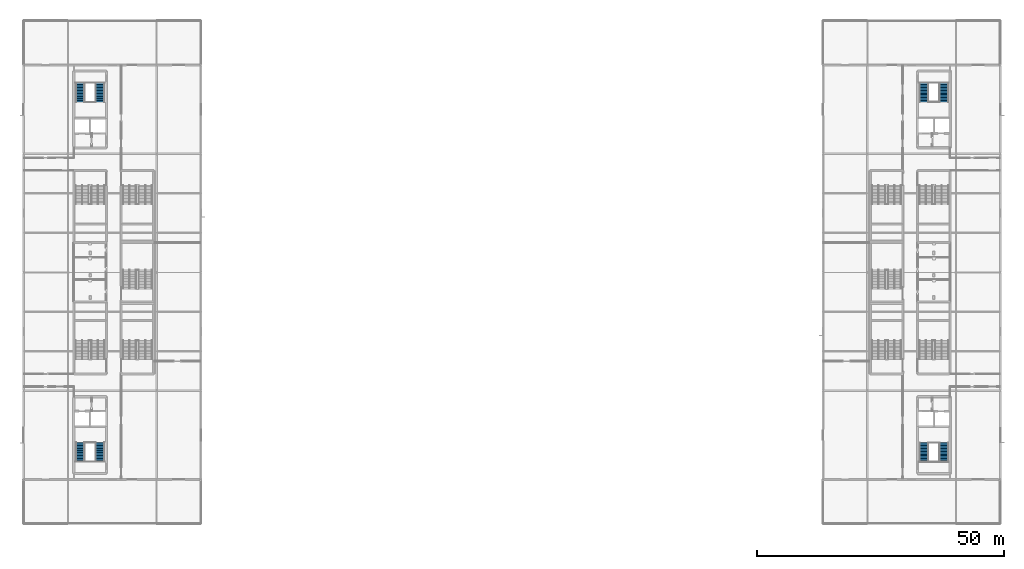
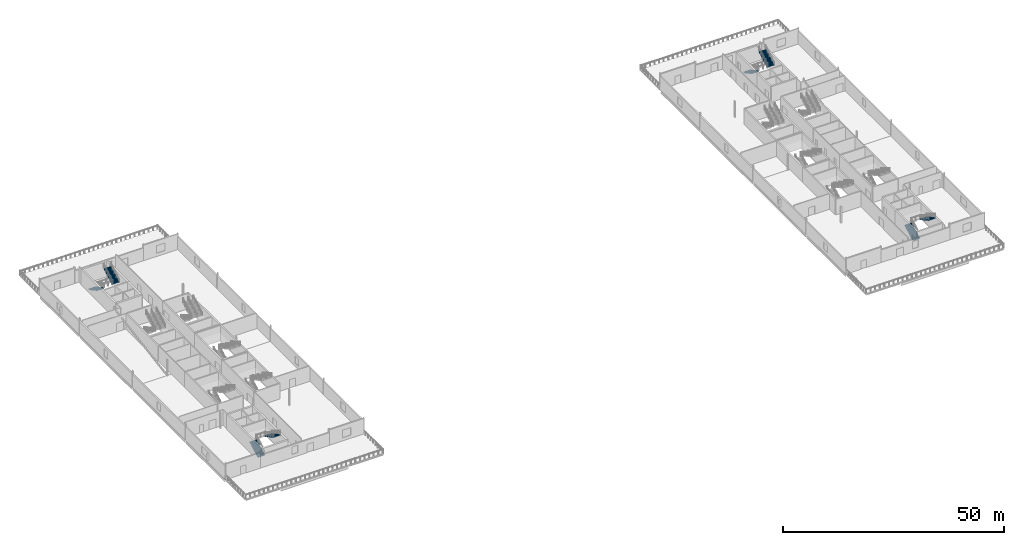
# One storey, part 17 of 28: 8 stair flights, 4 elements without a shape of their own.
"""IFC4 building model written with IfcOpenShell, lengths in metres."""

from ifc_helpers import new_model, si_unit, direction, frame, origin, place, context, subcontext, project, spatial, polyline, outline, extrude, material, type_object, element, aggregate, save


model = new_model("IFC4")

# Units and contexts
model_context = context("Model", 3, precision=1e-05, world=origin(), true_north=direction((0.0, 1.0)))
body_context = subcontext(model_context, "Body", "Model", "MODEL_VIEW")
ifc_project = project(units=[si_unit("LENGTHUNIT", "METRE"), si_unit("AREAUNIT", "SQUARE_METRE"), si_unit("VOLUMEUNIT", "CUBIC_METRE"), si_unit("PLANEANGLEUNIT", "RADIAN"), si_unit("MASSUNIT", "GRAM", prefix="KILO")], contexts=[model_context])

# Site, building, storey
site_placement = place(None, origin())
site = spatial("IfcSite", under=ifc_project, at=site_placement, CompositionType="ELEMENT")
building_placement = place(site_placement, origin())
building = spatial("IfcBuilding", under=site, at=building_placement, Name="Kisiwana Market Hall", CompositionType="ELEMENT")
storey_placement = place(building_placement, frame((0.0, 0.0, 49.5)))
storey = spatial("IfcBuildingStorey", under=building, at=storey_placement, Name="L11", CompositionType="ELEMENT", Elevation=49.5)

# Stair, stair flights
ifc_material_1 = material(Name="Concrete C32/40", Category="concrete")
stair_type = type_object("IfcStairType", Name="ST-TWR-4500", PredefinedType="TWO_STRAIGHT_RUN_STAIR", material=ifc_material_1)
stair_1_placement = place(storey_placement, origin())
stair_1 = element("IfcStair", 1, at=stair_1_placement, inside=storey, type_object=stair_type, Name="Escape stair ST-W2-L11", PredefinedType="TWO_STRAIGHT_RUN_STAIR")
ifc_material_2 = material(Name="Concrete C32/40", Category="concrete")
stair_flight_type = type_object("IfcStairFlightType", Name="SF-TWR-4500", PredefinedType="STRAIGHT", material=ifc_material_2)
stair_flight_1_placement = place(storey_placement, frame((11.5, 21.674560546875, 0.0), z_axis=(0.0, 0.0, 1.0), x_axis=(0.0, 1.0, 0.0)))
stair_flight_1 = element("IfcStairFlight", 2, at=stair_flight_1_placement, type_object=stair_flight_type, Name="ST-W2-L11 flight 1", NumberOfRisers=14, NumberOfTreads=13, PredefinedType="STRAIGHT", RiserHeight=0.160714, TreadLength=0.295, context=body_context, shape_type="SweptSolid", body=[
    extrude(outline(polyline([(0.0, 0.0), (0.0, 0.16064453125), (0.294921875, 0.16064453125), (0.294921875, 0.321533203125), (0.590087890625, 0.321533203125), (0.590087890625, 0.482177734375), (0.885009765625, 0.482177734375), (0.885009765625, 0.642822265625), (1.179931640625, 0.642822265625), (1.179931640625, 0.803466796875), (1.47509765625, 0.803466796875), (1.47509765625, 0.96435546875), (1.77001953125, 0.96435546875), (1.77001953125, 1.125), (2.06494140625, 1.125), (2.06494140625, 1.28564453125), (2.360107421875, 1.28564453125), (2.360107421875, 1.446533203125), (2.655029296875, 1.446533203125), (2.655029296875, 1.607177734375), (2.949951171875, 1.607177734375), (2.949951171875, 1.767822265625), (3.2451171875, 1.767822265625), (3.2451171875, 1.928466796875), (3.5400390625, 1.928466796875), (3.5400390625, 2.08935546875), (3.8349609375, 2.08935546875), (3.8349609375, 2.25), (3.8349609375, 1.88427734375), (0.376220703125, 0.0), (0.0, 0.0)])), frame((0.0, 0.925048828125, 0.0), z_axis=(0.0, -1.0, 0.0), x_axis=(1.0, 0.0, 0.0)), (0.0, 0.0, 1.0), 1.85009765625),
])
stair_flight_2_placement = place(storey_placement, frame((15.5, 25.509521484375, 2.25), z_axis=(0.0, 0.0, 1.0), x_axis=(0.0, -1.0, 0.0)))
stair_flight_2 = element("IfcStairFlight", 3, at=stair_flight_2_placement, type_object=stair_flight_type, Name="ST-W2-L11 flight 2", NumberOfRisers=14, NumberOfTreads=13, PredefinedType="STRAIGHT", RiserHeight=0.160714, TreadLength=0.295, context=body_context, shape_type="SweptSolid", body=[
    extrude(outline(polyline([(0.0, 0.0), (0.0, 0.16064453125), (0.294921875, 0.16064453125), (0.294921875, 0.321533203125), (0.590087890625, 0.321533203125), (0.590087890625, 0.482177734375), (0.885009765625, 0.482177734375), (0.885009765625, 0.642822265625), (1.179931640625, 0.642822265625), (1.179931640625, 0.803466796875), (1.47509765625, 0.803466796875), (1.47509765625, 0.96435546875), (1.77001953125, 0.96435546875), (1.77001953125, 1.125), (2.06494140625, 1.125), (2.06494140625, 1.28564453125), (2.360107421875, 1.28564453125), (2.360107421875, 1.446533203125), (2.655029296875, 1.446533203125), (2.655029296875, 1.607177734375), (2.949951171875, 1.607177734375), (2.949951171875, 1.767822265625), (3.2451171875, 1.767822265625), (3.2451171875, 1.928466796875), (3.5400390625, 1.928466796875), (3.5400390625, 2.08935546875), (3.8349609375, 2.08935546875), (3.8349609375, 2.25), (3.8349609375, 1.88427734375), (0.376220703125, 0.0), (0.0, 0.0)])), frame((0.0, 0.925048828125, 0.0), z_axis=(0.0, -1.0, 0.0), x_axis=(1.0, 0.0, 0.0)), (0.0, 0.0, 1.0), 1.85009765625),
])
aggregate(stair_1, [stair_flight_1, stair_flight_2])

stair_2_placement = place(storey_placement, origin())
stair_2 = element("IfcStair", 4, at=stair_2_placement, inside=storey, type_object=stair_type, Name="Escape stair ST-W1-L11", PredefinedType="TWO_STRAIGHT_RUN_STAIR")
stair_flight_3_placement = place(storey_placement, frame((11.5, 98.325439453125, 0.0), z_axis=(0.0, 0.0, 1.0), x_axis=(0.0, -1.0, 0.0)))
stair_flight_3 = element("IfcStairFlight", 5, at=stair_flight_3_placement, type_object=stair_flight_type, Name="ST-W1-L11 flight 1", NumberOfRisers=14, NumberOfTreads=13, PredefinedType="STRAIGHT", RiserHeight=0.160714, TreadLength=0.295, context=body_context, shape_type="SweptSolid", body=[
    extrude(outline(polyline([(0.0, 0.0), (0.0, 0.16064453125), (0.294921875, 0.16064453125), (0.294921875, 0.321533203125), (0.590087890625, 0.321533203125), (0.590087890625, 0.482177734375), (0.885009765625, 0.482177734375), (0.885009765625, 0.642822265625), (1.179931640625, 0.642822265625), (1.179931640625, 0.803466796875), (1.47509765625, 0.803466796875), (1.47509765625, 0.96435546875), (1.77001953125, 0.96435546875), (1.77001953125, 1.125), (2.06494140625, 1.125), (2.06494140625, 1.28564453125), (2.360107421875, 1.28564453125), (2.360107421875, 1.446533203125), (2.655029296875, 1.446533203125), (2.655029296875, 1.607177734375), (2.949951171875, 1.607177734375), (2.949951171875, 1.767822265625), (3.2451171875, 1.767822265625), (3.2451171875, 1.928466796875), (3.5400390625, 1.928466796875), (3.5400390625, 2.08935546875), (3.8349609375, 2.08935546875), (3.8349609375, 2.25), (3.8349609375, 1.88427734375), (0.376220703125, 0.0), (0.0, 0.0)])), frame((0.0, 0.925048828125, 0.0), z_axis=(0.0, -1.0, 0.0), x_axis=(1.0, 0.0, 0.0)), (0.0, 0.0, 1.0), 1.85009765625),
])
stair_flight_4_placement = place(storey_placement, frame((15.5, 94.490478515625, 2.25), z_axis=(0.0, 0.0, 1.0), x_axis=(0.0, 1.0, 0.0)))
stair_flight_4 = element("IfcStairFlight", 6, at=stair_flight_4_placement, type_object=stair_flight_type, Name="ST-W1-L11 flight 2", NumberOfRisers=14, NumberOfTreads=13, PredefinedType="STRAIGHT", RiserHeight=0.160714, TreadLength=0.295, context=body_context, shape_type="SweptSolid", body=[
    extrude(outline(polyline([(0.0, 0.0), (0.0, 0.16064453125), (0.294921875, 0.16064453125), (0.294921875, 0.321533203125), (0.590087890625, 0.321533203125), (0.590087890625, 0.482177734375), (0.885009765625, 0.482177734375), (0.885009765625, 0.642822265625), (1.179931640625, 0.642822265625), (1.179931640625, 0.803466796875), (1.47509765625, 0.803466796875), (1.47509765625, 0.96435546875), (1.77001953125, 0.96435546875), (1.77001953125, 1.125), (2.06494140625, 1.125), (2.06494140625, 1.28564453125), (2.360107421875, 1.28564453125), (2.360107421875, 1.446533203125), (2.655029296875, 1.446533203125), (2.655029296875, 1.607177734375), (2.949951171875, 1.607177734375), (2.949951171875, 1.767822265625), (3.2451171875, 1.767822265625), (3.2451171875, 1.928466796875), (3.5400390625, 1.928466796875), (3.5400390625, 2.08935546875), (3.8349609375, 2.08935546875), (3.8349609375, 2.25), (3.8349609375, 1.88427734375), (0.376220703125, 0.0), (0.0, 0.0)])), frame((0.0, 0.925048828125, 0.0), z_axis=(0.0, -1.0, 0.0), x_axis=(1.0, 0.0, 0.0)), (0.0, 0.0, 1.0), 1.85009765625),
])
aggregate(stair_2, [stair_flight_3, stair_flight_4])

stair_3_placement = place(storey_placement, origin())
stair_3 = element("IfcStair", 7, at=stair_3_placement, inside=storey, type_object=stair_type, Name="Escape stair ST-E2-L11", PredefinedType="TWO_STRAIGHT_RUN_STAIR")
stair_flight_5_placement = place(storey_placement, frame((182.47509765625, 21.6494140625, 0.0), z_axis=(0.0, 0.0, 1.0), x_axis=(0.0, 1.0, 0.0)))
stair_flight_5 = element("IfcStairFlight", 8, at=stair_flight_5_placement, type_object=stair_flight_type, Name="ST-E2-L11 flight 1", NumberOfRisers=14, NumberOfTreads=13, PredefinedType="STRAIGHT", RiserHeight=0.160714, TreadLength=0.295, context=body_context, shape_type="SweptSolid", body=[
    extrude(outline(polyline([(0.0, 0.0), (0.0, 0.16064453125), (0.294921875, 0.16064453125), (0.294921875, 0.321533203125), (0.590087890625, 0.321533203125), (0.590087890625, 0.482177734375), (0.885009765625, 0.482177734375), (0.885009765625, 0.642822265625), (1.179931640625, 0.642822265625), (1.179931640625, 0.803466796875), (1.47509765625, 0.803466796875), (1.47509765625, 0.96435546875), (1.77001953125, 0.96435546875), (1.77001953125, 1.125), (2.06494140625, 1.125), (2.06494140625, 1.28564453125), (2.360107421875, 1.28564453125), (2.360107421875, 1.446533203125), (2.655029296875, 1.446533203125), (2.655029296875, 1.607177734375), (2.949951171875, 1.607177734375), (2.949951171875, 1.767822265625), (3.2451171875, 1.767822265625), (3.2451171875, 1.928466796875), (3.5400390625, 1.928466796875), (3.5400390625, 2.08935546875), (3.8349609375, 2.08935546875), (3.8349609375, 2.25), (3.8349609375, 1.88427734375), (0.376220703125, 0.0), (0.0, 0.0)])), frame((0.0, 0.925048828125, 0.0), z_axis=(0.0, -1.0, 0.0), x_axis=(1.0, 0.0, 0.0)), (0.0, 0.0, 1.0), 1.85009765625),
])
stair_flight_6_placement = place(storey_placement, frame((186.52490234375, 25.484619140625, 2.25), z_axis=(0.0, 0.0, 1.0), x_axis=(0.0, -1.0, 0.0)))
stair_flight_6 = element("IfcStairFlight", 9, at=stair_flight_6_placement, type_object=stair_flight_type, Name="ST-E2-L11 flight 2", NumberOfRisers=14, NumberOfTreads=13, PredefinedType="STRAIGHT", RiserHeight=0.160714, TreadLength=0.295, context=body_context, shape_type="SweptSolid", body=[
    extrude(outline(polyline([(0.0, 0.0), (0.0, 0.16064453125), (0.294921875, 0.16064453125), (0.294921875, 0.321533203125), (0.590087890625, 0.321533203125), (0.590087890625, 0.482177734375), (0.885009765625, 0.482177734375), (0.885009765625, 0.642822265625), (1.179931640625, 0.642822265625), (1.179931640625, 0.803466796875), (1.47509765625, 0.803466796875), (1.47509765625, 0.96435546875), (1.77001953125, 0.96435546875), (1.77001953125, 1.125), (2.06494140625, 1.125), (2.06494140625, 1.28564453125), (2.360107421875, 1.28564453125), (2.360107421875, 1.446533203125), (2.655029296875, 1.446533203125), (2.655029296875, 1.607177734375), (2.949951171875, 1.607177734375), (2.949951171875, 1.767822265625), (3.2451171875, 1.767822265625), (3.2451171875, 1.928466796875), (3.5400390625, 1.928466796875), (3.5400390625, 2.08935546875), (3.8349609375, 2.08935546875), (3.8349609375, 2.25), (3.8349609375, 1.88427734375), (0.376220703125, 0.0), (0.0, 0.0)])), frame((0.0, 0.925048828125, 0.0), z_axis=(0.0, -1.0, 0.0), x_axis=(1.0, 0.0, 0.0)), (0.0, 0.0, 1.0), 1.85009765625),
])
aggregate(stair_3, [stair_flight_5, stair_flight_6])

stair_4_placement = place(storey_placement, origin())
stair_4 = element("IfcStair", 10, at=stair_4_placement, inside=storey, type_object=stair_type, Name="Escape stair ST-E1-L11", PredefinedType="TWO_STRAIGHT_RUN_STAIR")
stair_flight_7_placement = place(storey_placement, frame((182.47509765625, 98.3505859375, 0.0), z_axis=(0.0, 0.0, 1.0), x_axis=(0.0, -1.0, 0.0)))
stair_flight_7 = element("IfcStairFlight", 11, at=stair_flight_7_placement, type_object=stair_flight_type, Name="ST-E1-L11 flight 1", NumberOfRisers=14, NumberOfTreads=13, PredefinedType="STRAIGHT", RiserHeight=0.160714, TreadLength=0.295, context=body_context, shape_type="SweptSolid", body=[
    extrude(outline(polyline([(0.0, 0.0), (0.0, 0.16064453125), (0.294921875, 0.16064453125), (0.294921875, 0.321533203125), (0.590087890625, 0.321533203125), (0.590087890625, 0.482177734375), (0.885009765625, 0.482177734375), (0.885009765625, 0.642822265625), (1.179931640625, 0.642822265625), (1.179931640625, 0.803466796875), (1.47509765625, 0.803466796875), (1.47509765625, 0.96435546875), (1.77001953125, 0.96435546875), (1.77001953125, 1.125), (2.06494140625, 1.125), (2.06494140625, 1.28564453125), (2.360107421875, 1.28564453125), (2.360107421875, 1.446533203125), (2.655029296875, 1.446533203125), (2.655029296875, 1.607177734375), (2.949951171875, 1.607177734375), (2.949951171875, 1.767822265625), (3.2451171875, 1.767822265625), (3.2451171875, 1.928466796875), (3.5400390625, 1.928466796875), (3.5400390625, 2.08935546875), (3.8349609375, 2.08935546875), (3.8349609375, 2.25), (3.8349609375, 1.88427734375), (0.376220703125, 0.0), (0.0, 0.0)])), frame((0.0, 0.925048828125, 0.0), z_axis=(0.0, -1.0, 0.0), x_axis=(1.0, 0.0, 0.0)), (0.0, 0.0, 1.0), 1.85009765625),
])
stair_flight_8_placement = place(storey_placement, frame((186.52490234375, 94.515380859375, 2.25), z_axis=(0.0, 0.0, 1.0), x_axis=(0.0, 1.0, 0.0)))
stair_flight_8 = element("IfcStairFlight", 12, at=stair_flight_8_placement, type_object=stair_flight_type, Name="ST-E1-L11 flight 2", NumberOfRisers=14, NumberOfTreads=13, PredefinedType="STRAIGHT", RiserHeight=0.160714, TreadLength=0.295, context=body_context, shape_type="SweptSolid", body=[
    extrude(outline(polyline([(0.0, 0.0), (0.0, 0.16064453125), (0.294921875, 0.16064453125), (0.294921875, 0.321533203125), (0.590087890625, 0.321533203125), (0.590087890625, 0.482177734375), (0.885009765625, 0.482177734375), (0.885009765625, 0.642822265625), (1.179931640625, 0.642822265625), (1.179931640625, 0.803466796875), (1.47509765625, 0.803466796875), (1.47509765625, 0.96435546875), (1.77001953125, 0.96435546875), (1.77001953125, 1.125), (2.06494140625, 1.125), (2.06494140625, 1.28564453125), (2.360107421875, 1.28564453125), (2.360107421875, 1.446533203125), (2.655029296875, 1.446533203125), (2.655029296875, 1.607177734375), (2.949951171875, 1.607177734375), (2.949951171875, 1.767822265625), (3.2451171875, 1.767822265625), (3.2451171875, 1.928466796875), (3.5400390625, 1.928466796875), (3.5400390625, 2.08935546875), (3.8349609375, 2.08935546875), (3.8349609375, 2.25), (3.8349609375, 1.88427734375), (0.376220703125, 0.0), (0.0, 0.0)])), frame((0.0, 0.925048828125, 0.0), z_axis=(0.0, -1.0, 0.0), x_axis=(1.0, 0.0, 0.0)), (0.0, 0.0, 1.0), 1.85009765625),
])
aggregate(stair_4, [stair_flight_7, stair_flight_8])

save(model, "model.ifc")
